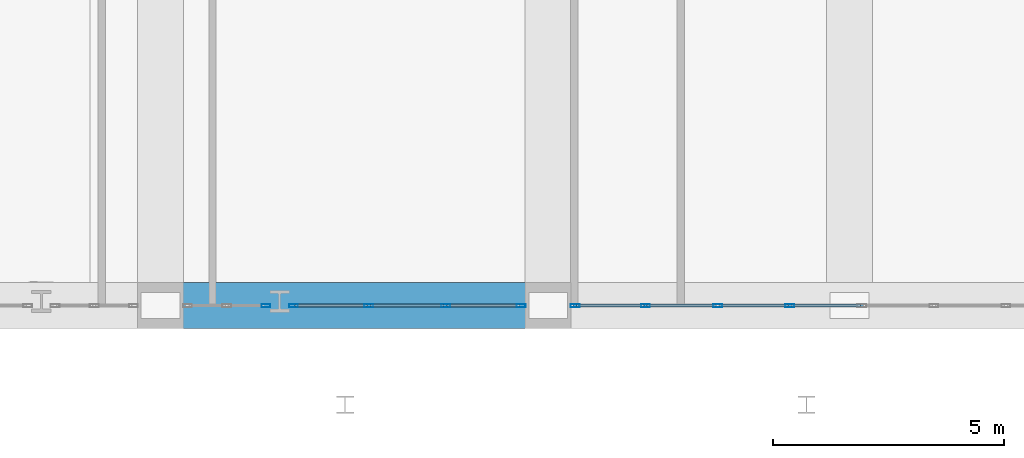
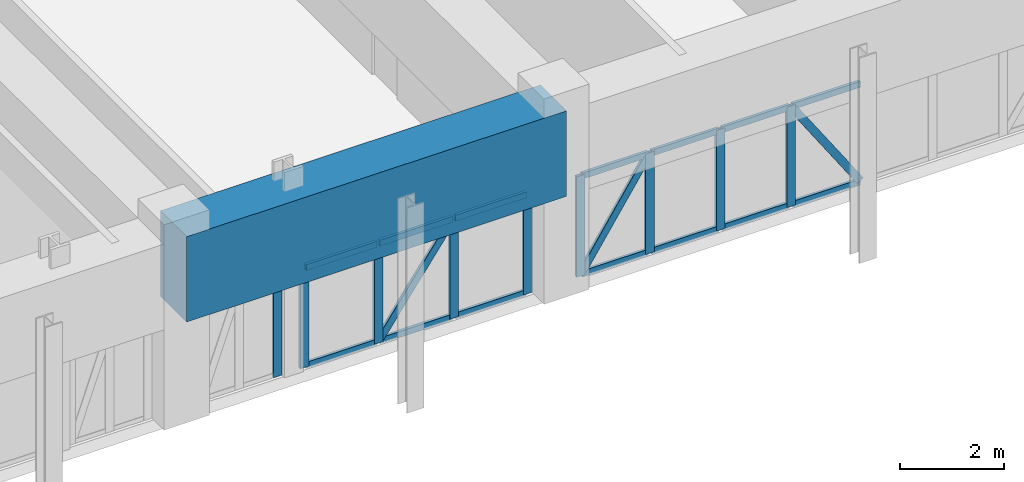
# One storey, part 9 of 44: 26 members, 1 beam, 3 elements without a shape of their own.
"""IFC4 building model written with IfcOpenShell, lengths in metres."""

from ifc_helpers import new_model, si_unit, derived_unit, direction, frame, origin, origin_2d, place, context, subcontext, project, spatial, rectangle, hollow_rectangle, extrude, source, transform, mapped, material, layer, layer_set, material_profile, profile_set, type_object, element, aggregate, save


model = new_model("IFC4")

# Units and contexts
model_context = context("Model", 3, precision=1e-05, world=origin(), true_north=direction((0.0, 1.0)))
body_context = subcontext(model_context, "Body", "Model", "MODEL_VIEW")
ifc_project = project(units=[si_unit("LENGTHUNIT", "METRE"), si_unit("AREAUNIT", "SQUARE_METRE"), si_unit("VOLUMEUNIT", "CUBIC_METRE"), si_unit("PLANEANGLEUNIT", "RADIAN"), si_unit("MASSUNIT", "GRAM", prefix="KILO"), derived_unit("THERMALTRANSMITTANCEUNIT", [(si_unit("POWERUNIT", "WATT"), 1), (si_unit("LENGTHUNIT", "METRE"), -2), (si_unit("THERMODYNAMICTEMPERATUREUNIT", "KELVIN"), -1)])], contexts=[model_context])

# Site, building, storey
site_placement = place(None, origin())
site = spatial("IfcSite", under=ifc_project, at=site_placement, CompositionType="ELEMENT")
building_placement = place(site_placement, origin())
building = spatial("IfcBuilding", under=site, at=building_placement, Name="Korsvarv Bourse and Concert Hall", CompositionType="ELEMENT")
storey_placement = place(building_placement, frame((0.0, 0.0, 9.60009765625)))
storey = spatial("IfcBuildingStorey", under=building, at=storey_placement, Name="L02", CompositionType="ELEMENT", Elevation=9.60009765625)

# Beam
ifc_material_1 = material(Name="Concrete C60/75", Category="concrete")
ifc_material_profile_1 = material_profile(ifc_material_1, rectangle(XDim=1.0, YDim=2.0, at=origin_2d()), Name="RC-BM 1000x2000")
ifc_profile_set_1 = profile_set([ifc_material_profile_1], Name="Concrete C60/75")
beam_type = type_object("IfcBeamType", Name="BM-TR1", PredefinedType="BEAM", material=ifc_profile_set_1)
shared_shape_1 = source(origin(), body_context, "Body", "SweptSolid", [
    extrude(rectangle(XDim=1.0, YDim=2.0, at=origin_2d()), origin(), (0.0, 0.0, 1.0), 8.39990234375),
])
beam_placement = place(storey_placement, frame((36.0, 3.0, 3.349853515625), z_axis=(1.0, 0.0, 0.0), x_axis=(0.0, 1.0, 0.0)))
element("IfcBeam", 1, at=beam_placement, inside=storey, type_object=beam_type, Name="L02 beam B-TR1", PredefinedType="BEAM", context=body_context, shape_type="MappedRepresentation", body=[
    mapped(shared_shape_1, transform((0.0, 0.0, 0.0), scale=1.0)),
])

# Curtain wall, member
ifc_material_2 = material(Name="Anodised aluminium and triple low-E glazing", Category="glass")
ifc_layer = layer(ifc_material_2, 0.239990234375)
ifc_layer_set = layer_set([ifc_layer], Name="Anodised aluminium and triple low-E glazing")
curtain_wall_type = type_object("IfcCurtainWallType", Name="CW-SYS-5", PredefinedType="NOTDEFINED", material=ifc_layer_set)
curtain_wall_1_placement = place(storey_placement, origin())
curtain_wall_1 = element("IfcCurtainWall", 2, at=curtain_wall_1_placement, inside=storey, type_object=curtain_wall_type, Name="L02 CW5 curtain wall CW-L02-S4-1", PredefinedType="NOTDEFINED")
ifc_material_3 = material(Name="Extruded aluminium EN AW-6063 T66", Category="aluminium")
ifc_material_profile_2 = material_profile(ifc_material_3, hollow_rectangle(XDim=0.070068359375, YDim=0.18994140625, WallThickness=0.0048828125, at=origin_2d()), Name="ALU-M 70x190")
ifc_profile_set_2 = profile_set([ifc_material_profile_2], Name="Extruded aluminium EN AW-6063 T66")
member_type_1 = type_object("IfcMemberType", Name="CWM-190", PredefinedType="MULLION", material=ifc_profile_set_2)
shared_shape_2 = source(origin(), body_context, "Body", "SweptSolid", [
    extrude(hollow_rectangle(XDim=0.070068359375, YDim=0.18994140625, WallThickness=0.0048828125, at=origin_2d()), origin(), (0.0, 0.0, 1.0), 2.349853515625),
])
member_1_placement = place(storey_placement, frame((38.284912109375, 3.0, 0.0), z_axis=(0.0, 0.0, 1.0), x_axis=(0.0, 1.0, 0.0)))
member_1 = element("IfcMember", 3, at=member_1_placement, type_object=member_type_1, Name="CW5 mullion 3", PredefinedType="MULLION", context=body_context, shape_type="MappedRepresentation", body=[
    mapped(shared_shape_2, transform((0.0, 0.0, 0.0), scale=1.0)),
])
aggregate(curtain_wall_1, [member_1])

# Curtain wall, members
curtain_wall_2_placement = place(storey_placement, origin())
curtain_wall_2 = element("IfcCurtainWall", 4, at=curtain_wall_2_placement, inside=storey, type_object=curtain_wall_type, Name="L02 CW5 curtain wall CW-L02-S4-2", PredefinedType="NOTDEFINED")
member_2_placement = place(storey_placement, frame((38.87890625, 3.0, 0.0), z_axis=(0.0, 0.0, 1.0), x_axis=(0.0, 1.0, 0.0)))
member_2 = element("IfcMember", 5, at=member_2_placement, type_object=member_type_1, Name="CW5 mullion 1", PredefinedType="MULLION", context=body_context, shape_type="MappedRepresentation", body=[
    mapped(shared_shape_2, transform((0.0, 0.0, 0.0), scale=1.0)),
])
member_3_placement = place(storey_placement, frame((40.5126953125, 3.0, 0.0), z_axis=(0.0, 0.0, 1.0), x_axis=(0.0, 1.0, 0.0)))
member_3 = element("IfcMember", 6, at=member_3_placement, type_object=member_type_1, Name="CW5 mullion 2", PredefinedType="MULLION", context=body_context, shape_type="MappedRepresentation", body=[
    mapped(shared_shape_2, transform((0.0, 0.0, 0.0), scale=1.0)),
])
member_4_placement = place(storey_placement, frame((42.181396484375, 3.0, 0.0), z_axis=(0.0, 0.0, 1.0), x_axis=(0.0, 1.0, 0.0)))
member_4 = element("IfcMember", 7, at=member_4_placement, type_object=member_type_1, Name="CW5 mullion 3", PredefinedType="MULLION", context=body_context, shape_type="MappedRepresentation", body=[
    mapped(shared_shape_2, transform((0.0, 0.0, 0.0), scale=1.0)),
])
member_5_placement = place(storey_placement, frame((43.81494140625, 3.0, 0.0), z_axis=(0.0, 0.0, 1.0), x_axis=(0.0, 1.0, 0.0)))
member_5 = element("IfcMember", 8, at=member_5_placement, type_object=member_type_1, Name="CW5 mullion 4", PredefinedType="MULLION", context=body_context, shape_type="MappedRepresentation", body=[
    mapped(shared_shape_2, transform((0.0, 0.0, 0.0), scale=1.0)),
])

curtain_wall_3_placement = place(storey_placement, origin())
curtain_wall_3 = element("IfcCurtainWall", 9, at=curtain_wall_3_placement, inside=storey, type_object=curtain_wall_type, Name="L02 CW5 curtain wall CW-L02-S5", PredefinedType="NOTDEFINED")
member_6_placement = place(storey_placement, frame((44.985107421875, 3.0, 0.0), z_axis=(0.0, 0.0, 1.0), x_axis=(0.0, 1.0, 0.0)))
member_6 = element("IfcMember", 10, at=member_6_placement, type_object=member_type_1, Name="CW5 mullion 1", PredefinedType="MULLION", context=body_context, shape_type="MappedRepresentation", body=[
    mapped(shared_shape_2, transform((0.0, 0.0, 0.0), scale=1.0)),
])
member_7_placement = place(storey_placement, frame((46.512451171875, 3.0, 0.0), z_axis=(0.0, 0.0, 1.0), x_axis=(0.0, 1.0, 0.0)))
member_7 = element("IfcMember", 11, at=member_7_placement, type_object=member_type_1, Name="CW5 mullion 2", PredefinedType="MULLION", context=body_context, shape_type="MappedRepresentation", body=[
    mapped(shared_shape_2, transform((0.0, 0.0, 0.0), scale=1.0)),
])
member_8_placement = place(storey_placement, frame((48.074951171875, 3.0, 0.0), z_axis=(0.0, 0.0, 1.0), x_axis=(0.0, 1.0, 0.0)))
member_8 = element("IfcMember", 12, at=member_8_placement, type_object=member_type_1, Name="CW5 mullion 3", PredefinedType="MULLION", context=body_context, shape_type="MappedRepresentation", body=[
    mapped(shared_shape_2, transform((0.0, 0.0, 0.0), scale=1.0)),
])
member_9_placement = place(storey_placement, frame((49.637451171875, 3.0, 0.0), z_axis=(0.0, 0.0, 1.0), x_axis=(0.0, 1.0, 0.0)))
member_9 = element("IfcMember", 13, at=member_9_placement, type_object=member_type_1, Name="CW5 mullion 4", PredefinedType="MULLION", context=body_context, shape_type="MappedRepresentation", body=[
    mapped(shared_shape_2, transform((0.0, 0.0, 0.0), scale=1.0)),
])
ifc_material_profile_3 = material_profile(ifc_material_3, hollow_rectangle(XDim=0.06494140625, YDim=0.139892578125, WallThickness=0.00390625, at=origin_2d()), Name="ALU-T 65x140")
ifc_profile_set_3 = profile_set([ifc_material_profile_3], Name="Extruded aluminium EN AW-6063 T66")
member_type_2 = type_object("IfcMemberType", Name="CWT-140", PredefinedType="USERDEFINED", material=ifc_profile_set_3)
shared_shape_3 = source(origin(), body_context, "Body", "SweptSolid", [
    extrude(hollow_rectangle(XDim=0.06494140625, YDim=0.139892578125, WallThickness=0.00390625, at=origin_2d()), origin(), (0.0, 0.0, 1.0), 1.492431640625),
])
member_10_placement = place(storey_placement, frame((46.547607421875, 3.0, 0.032470703125), z_axis=(1.0, 0.0, 0.0), x_axis=(0.0, 1.0, 0.0)))
member_10 = element("IfcMember", 14, at=member_10_placement, type_object=member_type_2, Name="CW5 transom 2.1", ObjectType="TRANSOM", PredefinedType="USERDEFINED", context=body_context, shape_type="MappedRepresentation", body=[
    mapped(shared_shape_3, transform((0.0, 0.0, 0.0), scale=1.0)),
])
member_11_placement = place(storey_placement, frame((46.547607421875, 3.0, 2.3173828125), z_axis=(1.0, 0.0, 0.0), x_axis=(0.0, 1.0, 0.0)))
member_11 = element("IfcMember", 15, at=member_11_placement, type_object=member_type_2, Name="CW5 transom 2.2", ObjectType="TRANSOM", PredefinedType="USERDEFINED", context=body_context, shape_type="MappedRepresentation", body=[
    mapped(shared_shape_3, transform((0.0, 0.0, 0.0), scale=1.0)),
])
member_12_placement = place(storey_placement, frame((48.110107421875, 3.0, 0.032470703125), z_axis=(1.0, 0.0, 0.0), x_axis=(0.0, 1.0, 0.0)))
member_12 = element("IfcMember", 16, at=member_12_placement, type_object=member_type_2, Name="CW5 transom 3.1", ObjectType="TRANSOM", PredefinedType="USERDEFINED", context=body_context, shape_type="MappedRepresentation", body=[
    mapped(shared_shape_3, transform((0.0, 0.0, 0.0), scale=1.0)),
])
member_13_placement = place(storey_placement, frame((48.110107421875, 3.0, 2.3173828125), z_axis=(1.0, 0.0, 0.0), x_axis=(0.0, 1.0, 0.0)))
member_13 = element("IfcMember", 17, at=member_13_placement, type_object=member_type_2, Name="CW5 transom 3.2", ObjectType="TRANSOM", PredefinedType="USERDEFINED", context=body_context, shape_type="MappedRepresentation", body=[
    mapped(shared_shape_3, transform((0.0, 0.0, 0.0), scale=1.0)),
])
member_14_placement = place(storey_placement, frame((49.672607421875, 3.0, 0.032470703125), z_axis=(1.0, 0.0, 0.0), x_axis=(0.0, 1.0, 0.0)))
member_14 = element("IfcMember", 18, at=member_14_placement, type_object=member_type_2, Name="CW5 transom 4.1", ObjectType="TRANSOM", PredefinedType="USERDEFINED", context=body_context, shape_type="MappedRepresentation", body=[
    mapped(shared_shape_3, transform((0.0, 0.0, 0.0), scale=1.0)),
])
member_15_placement = place(storey_placement, frame((49.672607421875, 3.0, 2.3173828125), z_axis=(1.0, 0.0, 0.0), x_axis=(0.0, 1.0, 0.0)))
member_15 = element("IfcMember", 19, at=member_15_placement, type_object=member_type_2, Name="CW5 transom 4.2", ObjectType="TRANSOM", PredefinedType="USERDEFINED", context=body_context, shape_type="MappedRepresentation", body=[
    mapped(shared_shape_3, transform((0.0, 0.0, 0.0), scale=1.0)),
])
ifc_material_profile_4 = material_profile(ifc_material_3, hollow_rectangle(XDim=0.06494140625, YDim=0.1650390625, WallThickness=0.0048828125, at=origin_2d()), Name="ALU-M 65x165")
ifc_profile_set_4 = profile_set([ifc_material_profile_4], Name="Extruded aluminium EN AW-6063 T66")
member_type_3 = type_object("IfcMemberType", Name="CWM-165", PredefinedType="MULLION", material=ifc_profile_set_4)
shared_shape_4 = source(origin(), body_context, "Body", "SweptSolid", [
    extrude(hollow_rectangle(XDim=0.06494140625, YDim=0.1650390625, WallThickness=0.0048828125, at=origin_2d()), origin(), (0.0, 0.0, 1.0), 2.675048828125),
])
member_16_placement = place(storey_placement, frame((51.1650390625, 3.0, 0.06494140625), z_axis=(-0.557918482421, 0.0, 0.829895756691), x_axis=(0.0, -1.0, 0.0)))
member_16 = element("IfcMember", 20, at=member_16_placement, type_object=member_type_3, Name="CW5 diagonal mullion 4", PredefinedType="MULLION", context=body_context, shape_type="MappedRepresentation", body=[
    mapped(shared_shape_4, transform((0.0, 0.0, 0.0), scale=1.0)),
])
shared_shape_5 = source(origin(), body_context, "Body", "SweptSolid", [
    extrude(hollow_rectangle(XDim=0.06494140625, YDim=0.139892578125, WallThickness=0.00390625, at=origin_2d()), origin(), (0.0, 0.0, 1.0), 1.45751953125),
])
member_17_placement = place(storey_placement, frame((45.02001953125, 3.0, 0.032470703125), z_axis=(1.0, 0.0, 0.0), x_axis=(0.0, 1.0, 0.0)))
member_17 = element("IfcMember", 21, at=member_17_placement, type_object=member_type_2, Name="CW5 transom 1.1", ObjectType="TRANSOM", PredefinedType="USERDEFINED", context=body_context, shape_type="MappedRepresentation", body=[
    mapped(shared_shape_5, transform((0.0, 0.0, 0.0), scale=1.0)),
])
member_18_placement = place(storey_placement, frame((45.02001953125, 3.0, 2.3173828125), z_axis=(1.0, 0.0, 0.0), x_axis=(0.0, 1.0, 0.0)))
member_18 = element("IfcMember", 22, at=member_18_placement, type_object=member_type_2, Name="CW5 transom 1.2", ObjectType="TRANSOM", PredefinedType="USERDEFINED", context=body_context, shape_type="MappedRepresentation", body=[
    mapped(shared_shape_5, transform((0.0, 0.0, 0.0), scale=1.0)),
])

# Member
shared_shape_6 = source(origin(), body_context, "Body", "SweptSolid", [
    extrude(hollow_rectangle(XDim=0.06494140625, YDim=0.139892578125, WallThickness=0.00390625, at=origin_2d()), origin(), (0.0, 0.0, 1.0), 1.563720703125),
])
member_19_placement = place(storey_placement, frame((38.913818359375, 3.0, 0.032470703125), z_axis=(1.0, 0.0, 0.0), x_axis=(0.0, 1.0, 0.0)))
member_19 = element("IfcMember", 23, at=member_19_placement, type_object=member_type_2, Name="CW5 transom 1.1", ObjectType="TRANSOM", PredefinedType="USERDEFINED", context=body_context, shape_type="MappedRepresentation", body=[
    mapped(shared_shape_6, transform((0.0, 0.0, 0.0), scale=1.0)),
])

member_20_placement = place(storey_placement, frame((38.913818359375, 3.0, 2.3173828125), z_axis=(1.0, 0.0, 0.0), x_axis=(0.0, 1.0, 0.0)))
member_20 = element("IfcMember", 24, at=member_20_placement, type_object=member_type_2, Name="CW5 transom 1.2", ObjectType="TRANSOM", PredefinedType="USERDEFINED", context=body_context, shape_type="MappedRepresentation", body=[
    mapped(shared_shape_6, transform((0.0, 0.0, 0.0), scale=1.0)),
])

member_21_placement = place(storey_placement, frame((42.21630859375, 3.0, 0.032470703125), z_axis=(1.0, 0.0, 0.0), x_axis=(0.0, 1.0, 0.0)))
member_21 = element("IfcMember", 25, at=member_21_placement, type_object=member_type_2, Name="CW5 transom 3.1", ObjectType="TRANSOM", PredefinedType="USERDEFINED", context=body_context, shape_type="MappedRepresentation", body=[
    mapped(shared_shape_6, transform((0.0, 0.0, 0.0), scale=1.0)),
])

member_22_placement = place(storey_placement, frame((42.21630859375, 3.0, 2.3173828125), z_axis=(1.0, 0.0, 0.0), x_axis=(0.0, 1.0, 0.0)))
member_22 = element("IfcMember", 26, at=member_22_placement, type_object=member_type_2, Name="CW5 transom 3.2", ObjectType="TRANSOM", PredefinedType="USERDEFINED", context=body_context, shape_type="MappedRepresentation", body=[
    mapped(shared_shape_6, transform((0.0, 0.0, 0.0), scale=1.0)),
])

shared_shape_7 = source(origin(), body_context, "Body", "SweptSolid", [
    extrude(hollow_rectangle(XDim=0.06494140625, YDim=0.139892578125, WallThickness=0.00390625, at=origin_2d()), origin(), (0.0, 0.0, 1.0), 1.5986328125),
])
member_23_placement = place(storey_placement, frame((40.547607421875, 3.0, 0.032470703125), z_axis=(1.0, 0.0, 0.0), x_axis=(0.0, 1.0, 0.0)))
member_23 = element("IfcMember", 27, at=member_23_placement, type_object=member_type_2, Name="CW5 transom 2.1", ObjectType="TRANSOM", PredefinedType="USERDEFINED", context=body_context, shape_type="MappedRepresentation", body=[
    mapped(shared_shape_7, transform((0.0, 0.0, 0.0), scale=1.0)),
])

member_24_placement = place(storey_placement, frame((40.547607421875, 3.0, 2.3173828125), z_axis=(1.0, 0.0, 0.0), x_axis=(0.0, 1.0, 0.0)))
member_24 = element("IfcMember", 28, at=member_24_placement, type_object=member_type_2, Name="CW5 transom 2.2", ObjectType="TRANSOM", PredefinedType="USERDEFINED", context=body_context, shape_type="MappedRepresentation", body=[
    mapped(shared_shape_7, transform((0.0, 0.0, 0.0), scale=1.0)),
])

shared_shape_8 = source(origin(), body_context, "Body", "SweptSolid", [
    extrude(hollow_rectangle(XDim=0.06494140625, YDim=0.1650390625, WallThickness=0.0048828125, at=origin_2d()), origin(), (0.0, 0.0, 1.0), 2.735595703125),
])
member_25_placement = place(storey_placement, frame((40.547607421875, 3.0, 0.06494140625), z_axis=(0.584365849811, 0.0, 0.811490328701), x_axis=(0.0, 1.0, 0.0)))
member_25 = element("IfcMember", 29, at=member_25_placement, type_object=member_type_3, Name="CW5 diagonal mullion 2", PredefinedType="MULLION", context=body_context, shape_type="MappedRepresentation", body=[
    mapped(shared_shape_8, transform((0.0, 0.0, 0.0), scale=1.0)),
])

aggregate(curtain_wall_2, [member_2, member_3, member_4, member_5, member_19, member_20, member_23, member_24, member_25, member_21, member_22])

shared_shape_9 = source(origin(), body_context, "Body", "SweptSolid", [
    extrude(hollow_rectangle(XDim=0.06494140625, YDim=0.1650390625, WallThickness=0.0048828125, at=origin_2d()), origin(), (0.0, 0.0, 1.0), 2.65576171875),
])
member_26_placement = place(storey_placement, frame((45.02001953125, 3.0, 0.06494140625), z_axis=(0.548831130758, 0.0, 0.835933244889), x_axis=(0.0, 1.0, 0.0)))
member_26 = element("IfcMember", 30, at=member_26_placement, type_object=member_type_3, Name="CW5 diagonal mullion 1", PredefinedType="MULLION", context=body_context, shape_type="MappedRepresentation", body=[
    mapped(shared_shape_9, transform((0.0, 0.0, 0.0), scale=1.0)),
])

aggregate(curtain_wall_3, [member_6, member_7, member_8, member_9, member_17, member_18, member_26, member_10, member_11, member_12, member_13, member_14, member_15, member_16])

save(model, "model.ifc")
